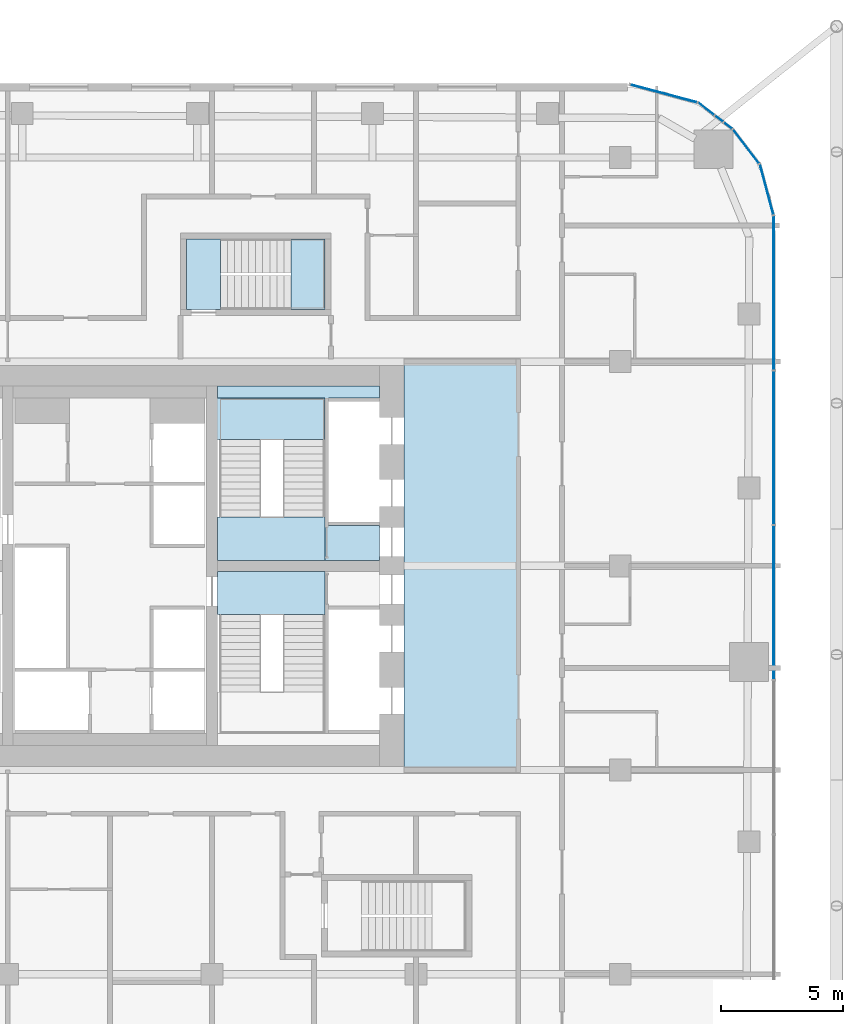
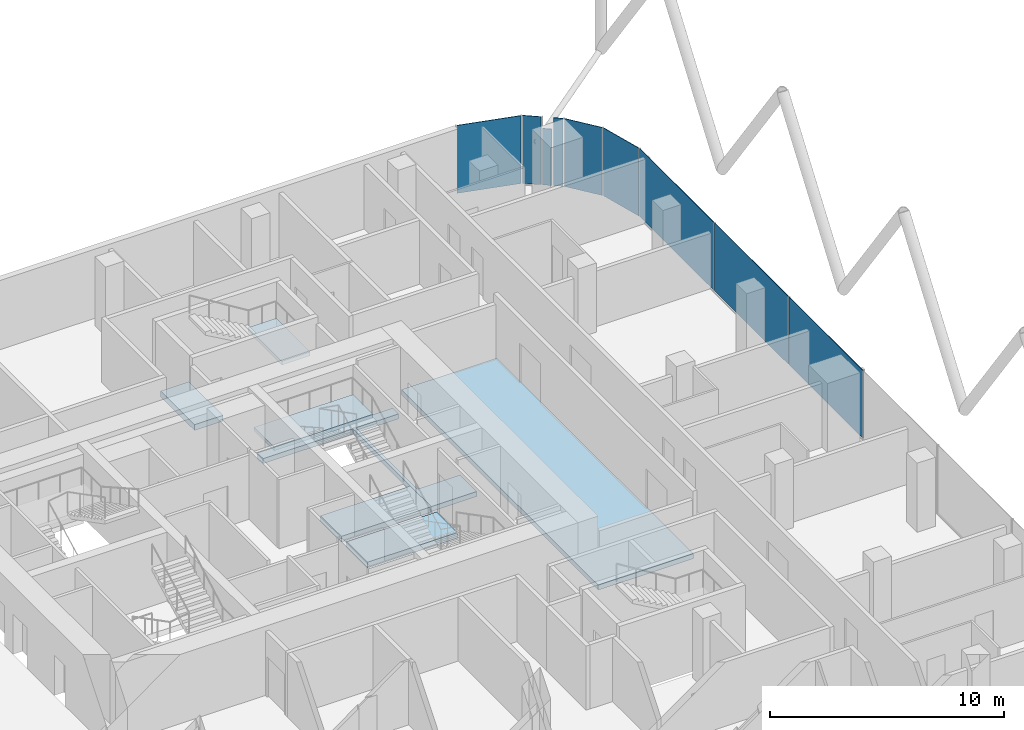
# One storey, part 23 of 33: 9 plates, 7 slabs, 9 elements without a shape of their own.
"""IFC4 building model written with IfcOpenShell, lengths in metres."""

from ifc_helpers import new_model, si_unit, direction, frame, origin, origin_2d, place, context, subcontext, project, spatial, polyline, rectangle, outline, extrude, material, layer, layer_set, type_object, element, aggregate, save


model = new_model("IFC4")

# Units and contexts
model_context = context("Model", 3, precision=1e-05, world=origin(), true_north=direction((0.0, 1.0)))
body_context = subcontext(model_context, "Body", "Model", "MODEL_VIEW")
ifc_project = project(units=[si_unit("LENGTHUNIT", "METRE"), si_unit("AREAUNIT", "SQUARE_METRE"), si_unit("VOLUMEUNIT", "CUBIC_METRE"), si_unit("PLANEANGLEUNIT", "RADIAN"), si_unit("MASSUNIT", "GRAM", prefix="KILO")], contexts=[model_context])

# Site, building, storey
site_placement = place(None, origin())
site = spatial("IfcSite", under=ifc_project, at=site_placement, CompositionType="ELEMENT")
building_placement = place(site_placement, origin())
building = spatial("IfcBuilding", under=site, at=building_placement, Name="Marenta Gate Hotel Tower", CompositionType="ELEMENT")
storey_placement = place(building_placement, frame((0.0, 0.0, 151.699951171875)))
storey = spatial("IfcBuildingStorey", under=building, at=storey_placement, Name="L35", CompositionType="ELEMENT", Elevation=151.699951171875)

# Slabs
ifc_material_1 = material(Name="Concrete C40", Category="concrete")
ifc_layer_1 = layer(ifc_material_1, 0.260009765625)
ifc_layer_set_1 = layer_set([ifc_layer_1], Name="Concrete C40")
slab_type_1 = type_object("IfcSlabType", Name="Core floor slab 260", PredefinedType="FLOOR", material=ifc_layer_set_1)
slab_1_placement = place(storey_placement, frame((0.0, 0.0, -0.260009765625)))
element("IfcSlab", 1, at=slab_1_placement, inside=storey, type_object=slab_type_1, Name="L35-CF-1", PredefinedType="FLOOR", context=body_context, shape_type="SweptSolid", body=[
    extrude(outline(polyline([(12.10009765625, 0.0), (12.10009765625, 16.800048828125), (16.800048828125, 16.800048828125), (16.800048828125, 0.0), (12.10009765625, 0.0)])), origin(), (0.0, 0.0, 1.0), 0.260009765625),
])
slab_2_placement = place(storey_placement, frame((0.0, 0.0, -0.260009765625)))
element("IfcSlab", 2, at=slab_2_placement, inside=storey, type_object=slab_type_1, Name="L35-CF-3", PredefinedType="FLOOR", context=body_context, shape_type="SweptSolid", body=[
    extrude(outline(polyline([(8.85009765625, 15.300048828125), (4.425048828125, 15.300048828125), (4.425048828125, 15.800048828125), (11.10009765625, 15.800048828125), (11.10009765625, 15.300048828125), (9.0, 15.300048828125), (9.0, 15.14990234375), (9.0, 12.75), (9.0, 12.60009765625), (9.0, 10.199951171875), (9.0, 10.050048828125), (11.10009765625, 10.050048828125), (11.10009765625, 8.625), (8.85009765625, 8.625), (8.85009765625, 8.699951171875), (8.85009765625, 10.39990234375), (8.85009765625, 15.300048828125)])), origin(), (0.0, 0.0, 1.0), 0.260009765625),
])

# Stair, slab
ifc_material_2 = material(Name="Concrete C40", Category="concrete")
stair_type_1 = type_object("IfcStairType", Name="Core exit stair 1700 wide", PredefinedType="HALF_TURN_STAIR", material=ifc_material_2)
stair_1_placement = place(storey_placement, origin())
stair_1 = element("IfcStair", 3, at=stair_1_placement, inside=storey, type_object=stair_type_1, Name="Exit stair 4", PredefinedType="HALF_TURN_STAIR")
ifc_material_3 = material(Name="Concrete C40", Category="concrete")
ifc_layer_2 = layer(ifc_material_3, 0.199951171875)
ifc_layer_set_2 = layer_set([ifc_layer_2], Name="Concrete C40")
slab_type_2 = type_object("IfcSlabType", Name="Core stair landing 200", PredefinedType="LANDING", material=ifc_layer_set_2)
slab_3_placement = place(storey_placement, frame((0.0, 0.0, 1.60009765625)))
slab_3 = element("IfcSlab", 4, at=slab_3_placement, type_object=slab_type_2, Name="SL-200 ST4 landing 1", PredefinedType="LANDING", context=body_context, shape_type="SweptSolid", body=[
    extrude(outline(polyline([(3.97509765625, 13.590087890625), (8.85009765625, 13.590087890625), (8.85009765625, 15.300048828125), (3.97509765625, 15.300048828125), (3.97509765625, 13.590087890625)])), origin(), (0.0, 0.0, 1.0), 0.199951171875),
])
aggregate(stair_1, [slab_3])

# Curtain wall, plates
ifc_material_4 = material(Name="Tinted insulated glass in bronze anodised frame", Category="glass")
ifc_layer_3 = layer(ifc_material_4, 0.1201171875)
ifc_layer_set_3 = layer_set([ifc_layer_3], Name="Tinted insulated glass in bronze anodised frame")
curtain_wall_type = type_object("IfcCurtainWallType", Name="Tower unitised curtain wall CW1", PredefinedType="NOTDEFINED", material=ifc_layer_set_3)
curtain_wall_1_placement = place(storey_placement, origin())
curtain_wall_1 = element("IfcCurtainWall", 5, at=curtain_wall_1_placement, inside=storey, type_object=curtain_wall_type, Name="CW1 run G19", PredefinedType="NOTDEFINED")
ifc_material_5 = material(Name="Tinted insulated glass", Category="glass")
ifc_layer_4 = layer(ifc_material_5, 0.028076171875)
ifc_layer_set_4 = layer_set([ifc_layer_4], Name="Tinted insulated glass")
plate_type = type_object("IfcPlateType", Name="Glass panel CW1 28 mm tinted insulated unit", PredefinedType="CURTAIN_PANEL", material=ifc_layer_set_4)
plate_1_placement = place(storey_placement, frame((27.31396484375, 6.891845703125, 0.06005859375), z_axis=(0.0, 0.0, 1.0), x_axis=(0.0, 1.0, 0.0)))
plate_1 = element("IfcPlate", 6, at=plate_1_placement, type_object=plate_type, Name="CW1 panel 4.1", PredefinedType="CURTAIN_PANEL", context=body_context, shape_type="SweptSolid", body=[
    extrude(rectangle(XDim=6.300048828125, YDim=0.028076171875, at=origin_2d()), origin(), (0.0, 0.0, 1.0), 3.5400390625),
])
plate_2_placement = place(storey_placement, frame((27.31396484375, 13.251953125, 0.06005859375), z_axis=(0.0, 0.0, 1.0), x_axis=(0.0, 1.0, 0.0)))
plate_2 = element("IfcPlate", 7, at=plate_2_placement, type_object=plate_type, Name="CW1 panel 5.1", PredefinedType="CURTAIN_PANEL", context=body_context, shape_type="SweptSolid", body=[
    extrude(rectangle(XDim=6.300048828125, YDim=0.028076171875, at=origin_2d()), origin(), (0.0, 0.0, 1.0), 3.5400390625),
])
plate_3_placement = place(storey_placement, frame((27.31396484375, 19.626953125, 0.06005859375), z_axis=(0.0, 0.0, 1.0), x_axis=(0.0, 1.0, 0.0)))
plate_3 = element("IfcPlate", 8, at=plate_3_placement, type_object=plate_type, Name="CW1 panel 6.1", PredefinedType="CURTAIN_PANEL", context=body_context, shape_type="SweptSolid", body=[
    extrude(rectangle(XDim=6.330078125, YDim=0.028076171875, at=origin_2d()), origin(), (0.0, 0.0, 1.0), 3.5400390625),
])
aggregate(curtain_wall_1, [plate_1, plate_2, plate_3])

# Curtain wall, plate
curtain_wall_2_placement = place(storey_placement, origin())
curtain_wall_2 = element("IfcCurtainWall", 9, at=curtain_wall_2_placement, inside=storey, type_object=curtain_wall_type, Name="CW1 run G20", PredefinedType="NOTDEFINED")
plate_4_placement = place(storey_placement, frame((27.022216796875, 23.880615234375, 0.06005859375), z_axis=(0.0, 0.0, 1.0), x_axis=(-0.258822651658, 0.965924859908, 0.0)))
plate_4 = element("IfcPlate", 10, at=plate_4_placement, type_object=plate_type, Name="CW1 panel 1.1", PredefinedType="CURTAIN_PANEL", context=body_context, shape_type="SweptSolid", body=[
    extrude(rectangle(XDim=2.13427734375, YDim=0.028076171875, at=origin_2d()), origin(), (0.0, 0.0, 1.0), 3.5400390625),
])
aggregate(curtain_wall_2, [plate_4])

curtain_wall_3_placement = place(storey_placement, origin())
curtain_wall_3 = element("IfcCurtainWall", 11, at=curtain_wall_3_placement, inside=storey, type_object=curtain_wall_type, Name="CW1 run G21", PredefinedType="NOTDEFINED")
plate_5_placement = place(storey_placement, frame((26.177490234375, 25.652099609375, 0.06005859375), z_axis=(0.0, 0.0, 1.0), x_axis=(-0.608796116694, 0.793326722289, 0.0)))
plate_5 = element("IfcPlate", 12, at=plate_5_placement, type_object=plate_type, Name="CW1 panel 1.1", PredefinedType="CURTAIN_PANEL", context=body_context, shape_type="SweptSolid", body=[
    extrude(rectangle(XDim=1.747802734375, YDim=0.028076171875, at=origin_2d()), origin(), (0.0, 0.0, 1.0), 3.5400390625),
])
aggregate(curtain_wall_3, [plate_5])

curtain_wall_4_placement = place(storey_placement, origin())
curtain_wall_4 = element("IfcCurtainWall", 13, at=curtain_wall_4_placement, inside=storey, type_object=curtain_wall_type, Name="CW1 run G22", PredefinedType="NOTDEFINED")
plate_6_placement = place(storey_placement, frame((25.4345703125, 26.50732421875, 0.06005859375), z_axis=(0.0, 0.0, 1.0), x_axis=(-0.793340265701, 0.608778467767, 0.0)))
plate_6 = element("IfcPlate", 14, at=plate_6_placement, type_object=plate_type, Name="CW1 panel 1.1", PredefinedType="CURTAIN_PANEL", context=body_context, shape_type="SweptSolid", body=[
    extrude(rectangle(XDim=0.411865234375, YDim=0.028076171875, at=origin_2d()), origin(), (0.0, 0.0, 1.0), 3.5400390625),
])
aggregate(curtain_wall_4, [plate_6])

curtain_wall_5_placement = place(storey_placement, origin())
curtain_wall_5 = element("IfcCurtainWall", 15, at=curtain_wall_5_placement, inside=storey, type_object=curtain_wall_type, Name="CW1 run G23", PredefinedType="NOTDEFINED")
plate_7_placement = place(storey_placement, frame((25.06201171875, 26.793212890625, 0.06005859375), z_axis=(0.0, 0.0, 1.0), x_axis=(-0.79337187392, 0.608737274752, 0.0)))
plate_7 = element("IfcPlate", 16, at=plate_7_placement, type_object=plate_type, Name="CW1 panel 1.1", PredefinedType="CURTAIN_PANEL", context=body_context, shape_type="SweptSolid", body=[
    extrude(rectangle(XDim=0.406982421875, YDim=0.028076171875, at=origin_2d()), origin(), (0.0, 0.0, 1.0), 2.9404296875),
])
aggregate(curtain_wall_5, [plate_7])

curtain_wall_6_placement = place(storey_placement, origin())
curtain_wall_6 = element("IfcCurtainWall", 17, at=curtain_wall_6_placement, inside=storey, type_object=curtain_wall_type, Name="CW1 run G24", PredefinedType="NOTDEFINED")
plate_8_placement = place(storey_placement, frame((24.5322265625, 27.19970703125, 0.06005859375), z_axis=(0.0, 0.0, 1.0), x_axis=(-0.793295108539, 0.608837310591, 0.0)))
plate_8 = element("IfcPlate", 18, at=plate_8_placement, type_object=plate_type, Name="CW1 panel 1.1", PredefinedType="CURTAIN_PANEL", context=body_context, shape_type="SweptSolid", body=[
    extrude(rectangle(XDim=0.80908203125, YDim=0.028076171875, at=origin_2d()), origin(), (0.0, 0.0, 1.0), 3.5400390625),
])
aggregate(curtain_wall_6, [plate_8])

curtain_wall_7_placement = place(storey_placement, origin())
curtain_wall_7 = element("IfcCurtainWall", 19, at=curtain_wall_7_placement, inside=storey, type_object=curtain_wall_type, Name="CW1 run G25", PredefinedType="NOTDEFINED")
plate_9_placement = place(storey_placement, frame((22.783935546875, 27.82861328125, 0.06005859375), z_axis=(0.0, 0.0, 1.0), x_axis=(-0.965929324305, 0.258805989975, 0.0)))
plate_9 = element("IfcPlate", 20, at=plate_9_placement, type_object=plate_type, Name="CW1 panel 1.1", PredefinedType="CURTAIN_PANEL", context=body_context, shape_type="SweptSolid", body=[
    extrude(rectangle(XDim=2.83544921875, YDim=0.028076171875, at=origin_2d()), origin(), (0.0, 0.0, 1.0), 3.5400390625),
])
aggregate(curtain_wall_7, [plate_9])

# Stair, slab
ifc_material_6 = material(Name="Concrete C40", Category="concrete")
stair_type_2 = type_object("IfcStairType", Name="Remote exit stair 1400 wide", PredefinedType="HALF_TURN_STAIR", material=ifc_material_6)
stair_2_placement = place(storey_placement, origin())
stair_2 = element("IfcStair", 21, at=stair_2_placement, inside=storey, type_object=stair_type_2, Name="Exit stair RS-Z2-4", PredefinedType="HALF_TURN_STAIR")
ifc_material_7 = material(Name="Concrete C40", Category="concrete")
ifc_layer_5 = layer(ifc_material_7, 0.199951171875)
ifc_layer_set_5 = layer_set([ifc_layer_5], Name="Concrete C40")
slab_type_3 = type_object("IfcSlabType", Name="Remote stair landing 200", PredefinedType="LANDING", material=ifc_layer_set_5)
slab_4_placement = place(storey_placement, frame((0.0, 0.0, 1.60009765625)))
slab_4 = element("IfcSlab", 22, at=slab_4_placement, type_object=slab_type_3, Name="RL-200 RS-Z2-4 landing 1", PredefinedType="LANDING", context=body_context, shape_type="SweptSolid", body=[
    extrude(outline(polyline([(7.449951171875, 18.949951171875), (8.85009765625, 18.949951171875), (8.85009765625, 21.85009765625), (7.449951171875, 21.85009765625), (7.449951171875, 18.949951171875)])), origin(), (0.0, 0.0, 1.0), 0.199951171875),
])
aggregate(stair_2, [slab_4])

# Slabs
ifc_material_8 = material(Name="Concrete C40", Category="concrete")
ifc_layer_6 = layer(ifc_material_8, 0.300048828125)
ifc_layer_set_6 = layer_set([ifc_layer_6], Name="Concrete C40")
slab_type_4 = type_object("IfcSlabType", Name="Stair floor landing slab 300", PredefinedType="FLOOR", material=ifc_layer_set_6)
slab_5_placement = place(storey_placement, frame((0.0, 0.0, -0.300048828125)))
element("IfcSlab", 23, at=slab_5_placement, inside=storey, type_object=slab_type_4, Name="L35-CL-ST3-1", PredefinedType="FLOOR", context=body_context, shape_type="SweptSolid", body=[
    extrude(outline(polyline([(4.425048828125, 6.39990234375), (4.425048828125, 8.175048828125), (8.85009765625, 8.175048828125), (8.85009765625, 8.10009765625), (8.85009765625, 6.39990234375), (4.425048828125, 6.39990234375)])), origin(), (0.0, 0.0, 1.0), 0.300048828125),
])
slab_6_placement = place(storey_placement, frame((0.0, 0.0, -0.300048828125)))
element("IfcSlab", 24, at=slab_6_placement, inside=storey, type_object=slab_type_4, Name="L35-CL-ST4-1", PredefinedType="FLOOR", context=body_context, shape_type="SweptSolid", body=[
    extrude(outline(polyline([(4.425048828125, 8.625), (4.425048828125, 10.39990234375), (8.85009765625, 10.39990234375), (8.85009765625, 8.699951171875), (8.85009765625, 8.625), (4.425048828125, 8.625)])), origin(), (0.0, 0.0, 1.0), 0.300048828125),
])
slab_7_placement = place(storey_placement, frame((0.0, 0.0, -0.300048828125)))
element("IfcSlab", 25, at=slab_7_placement, inside=storey, type_object=slab_type_4, Name="L35-RS-Z2-4-CL", PredefinedType="FLOOR", context=body_context, shape_type="SweptSolid", body=[
    extrude(outline(polyline([(4.550048828125, 18.949951171875), (4.550048828125, 21.85009765625), (3.14990234375, 21.85009765625), (3.14990234375, 18.949951171875), (4.550048828125, 18.949951171875)])), origin(), (0.0, 0.0, 1.0), 0.300048828125),
])

save(model, "model.ifc")
